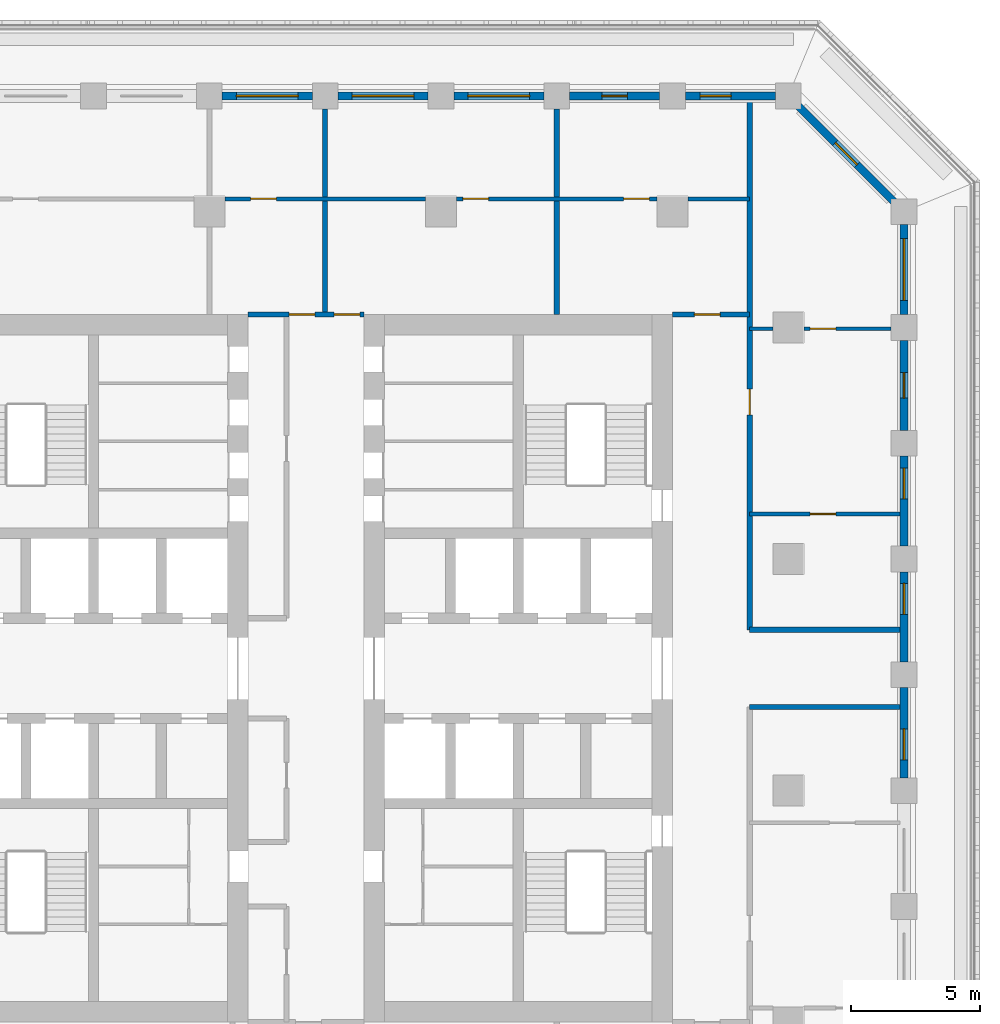
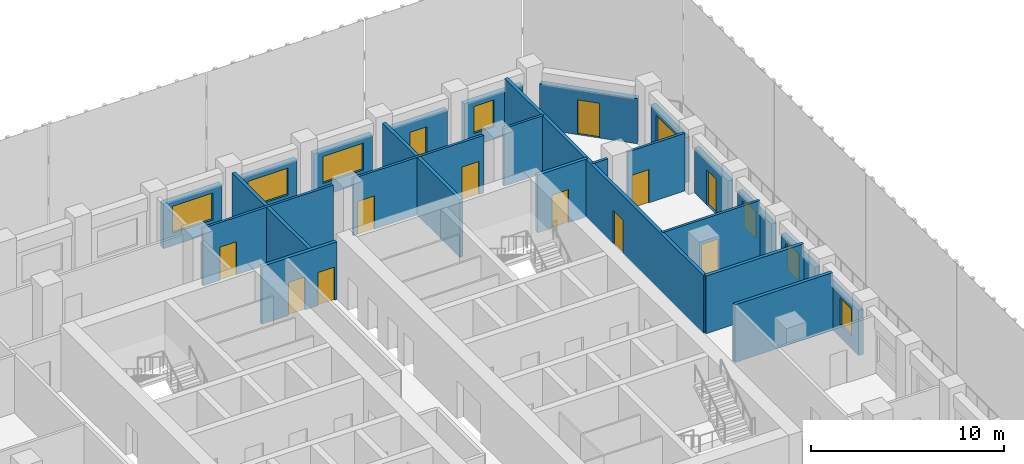
# One storey, part 8 of 17: 24 walls, 12 doors, 8 windows, 20 openings.
"""IFC4 building model written with IfcOpenShell, lengths in metres."""

from ifc_helpers import new_model, si_unit, direction, frame, frame_2d, origin, place, context, subcontext, project, spatial, rectangle, extrude, material, layer, layer_set, type_object, element, fill, save


model = new_model("IFC4")

# Units and contexts
model_context = context("Model", 3, precision=1e-05, world=origin(), true_north=direction((0.0, 1.0)))
body_context = subcontext(model_context, "Body", "Model", "MODEL_VIEW")
ifc_project = project(units=[si_unit("LENGTHUNIT", "METRE"), si_unit("AREAUNIT", "SQUARE_METRE"), si_unit("VOLUMEUNIT", "CUBIC_METRE"), si_unit("PLANEANGLEUNIT", "RADIAN"), si_unit("MASSUNIT", "GRAM", prefix="KILO")], contexts=[model_context])

# Site, building, storey
site_placement = place(None, origin())
site = spatial("IfcSite", under=ifc_project, at=site_placement, CompositionType="ELEMENT")
building_placement = place(site_placement, origin())
building = spatial("IfcBuilding", under=site, at=building_placement, Name="Corbel Stack Research Tower", CompositionType="ELEMENT")
storey_placement = place(building_placement, frame((0.0, 0.0, 156.800048828125)))
storey = spatial("IfcBuildingStorey", under=building, at=storey_placement, Name="L35", CompositionType="ELEMENT", Elevation=156.800048828125)

# Walls
ifc_material_1 = material(Name="Fire-rated gypsum board partition on steel studs", Category="steel")
ifc_layer_1 = layer(ifc_material_1, 0.199951171875)
ifc_layer_set_1 = layer_set([ifc_layer_1], Name="Fire-rated gypsum board partition on steel studs")
wall_type_1 = type_object("IfcWallType", Name="Fire-rated partition 200 EI 60", PredefinedType="PARTITIONING", material=ifc_layer_set_1)
for number, where, z_axis, x_axis, name in (
    (1, (4.5, 18.5, 0.0), (0.0, 0.0, 1.0), (0.0, 1.0, 0.0), "Partition L35-012"),
    (2, (13.5, 18.5, 0.0), (0.0, 0.0, 1.0), (0.0, 1.0, 0.0), "Partition L35-015"),
):
    element("IfcWall", number, at=place(storey_placement, frame(where, z_axis=z_axis, x_axis=x_axis)), inside=storey, type_object=wall_type_1, Name=name, PredefinedType="PARTITIONING", context=body_context, shape_type="SweptSolid", body=[
        extrude(rectangle(XDim=8.0, YDim=0.199951171875, at=frame_2d((4.0, 0.0))), origin(), (0.0, 0.0, 1.0), 3.64990234375),
    ])

# Wall, opening, door
wall_1_placement = place(storey_placement, frame((21.0, 26.85009765625, 0.0), z_axis=(0.0, 0.0, 1.0), x_axis=(0.0, -1.0, 0.0)))
wall_1 = element("IfcWall", 3, at=wall_1_placement, inside=storey, type_object=wall_type_1, Name="Partition L35-017", PredefinedType="PARTITIONING", context=body_context, shape_type="SweptSolid", body=[
    extrude(rectangle(XDim=20.60009765625, YDim=0.199951171875, at=frame_2d((10.300048828125, 0.0))), origin(), (0.0, 0.0, 1.0), 3.64990234375),
])
opening_1_placement = place(wall_1_placement, frame((11.25, 0.0, 0.0)))
opening_1 = element("IfcOpeningElement", 4, at=opening_1_placement, cuts=wall_1, Name="Opening B5V0H-031", PredefinedType="OPENING", context=body_context, shape_type="SweptSolid", body=[
    extrude(rectangle(XDim=1.0, YDim=2.10009765625, at=frame_2d((0.5, 1.050048828125))), frame((0.0, 0.10986328125, 0.0), z_axis=(0.0, -1.0, 0.0), x_axis=(1.0, 0.0, 0.0)), (0.0, 0.0, 1.0), 0.219970703125),
])
ifc_material_2 = material(Name="Painted steel fire door", Category="steel")
door_type_1 = type_object("IfcDoorType", Name="Fire door FD30S 1000 x 2100", OperationType="NOTDEFINED", PredefinedType="DOOR", material=ifc_material_2)
door_1_placement = place(opening_1_placement, origin())
door_1 = element("IfcDoor", 5, at=door_1_placement, inside=storey, type_object=door_type_1, Name="Door B5V0H-031", OperationType="SINGLE_SWING_RIGHT", OverallHeight=2.10009765625, OverallWidth=1.0, PredefinedType="DOOR", context=body_context, shape_type="SweptSolid", body=[
    extrude(rectangle(XDim=1.0, YDim=2.10009765625, at=frame_2d((0.5, 1.050048828125))), frame((0.0, 0.02490234375, 0.0), z_axis=(0.0, -1.0, 0.0), x_axis=(1.0, 0.0, 0.0)), (0.0, 0.0, 1.0), 0.050048828125),
])
fill(opening_1, door_1)

# Walls
for number, where, z_axis, x_axis, name in (
    (6, (21.0, 3.25, 0.0), (0.0, 0.0, 1.0), (1.0, 0.0, 0.0), "Partition L35-033"),
    (7, (21.0, 6.25, 0.0), (0.0, 0.0, 1.0), (1.0, 0.0, 0.0), "Partition L35-035"),
):
    element("IfcWall", number, at=place(storey_placement, frame(where, z_axis=z_axis, x_axis=x_axis)), inside=storey, type_object=wall_type_1, Name=name, PredefinedType="PARTITIONING", context=body_context, shape_type="SweptSolid", body=[
        extrude(rectangle(XDim=5.85009765625, YDim=0.199951171875, at=frame_2d((2.925048828125, 0.0))), origin(), (0.0, 0.0, 1.0), 3.64990234375),
    ])

# Wall, openings, doors
wall_2_placement = place(storey_placement, frame((1.5, 18.5, 0.0), z_axis=(0.0, 0.0, 1.0), x_axis=(1.0, 0.0, 0.0)))
wall_2 = element("IfcWall", 8, at=wall_2_placement, inside=storey, type_object=wall_type_1, Name="Partition L35-044", PredefinedType="PARTITIONING", context=body_context, shape_type="SweptSolid", body=[
    extrude(rectangle(XDim=4.5, YDim=0.199951171875, at=frame_2d((2.25, 0.0))), origin(), (0.0, 0.0, 1.0), 3.64990234375),
])
opening_2_placement = place(wall_2_placement, frame((1.60009765625, 0.0, 0.0)))
opening_2 = element("IfcOpeningElement", 9, at=opening_2_placement, cuts=wall_2, Name="Opening B5V0H-027", PredefinedType="OPENING", context=body_context, shape_type="SweptSolid", body=[
    extrude(rectangle(XDim=1.0, YDim=2.10009765625, at=frame_2d((0.5, 1.050048828125))), frame((0.0, 0.10986328125, 0.0), z_axis=(0.0, -1.0, 0.0), x_axis=(1.0, 0.0, 0.0)), (0.0, 0.0, 1.0), 0.219970703125),
])
opening_3_placement = place(wall_2_placement, frame((3.35009765625, 0.0, 0.0)))
opening_3 = element("IfcOpeningElement", 10, at=opening_3_placement, cuts=wall_2, Name="Opening B5V0H-028", PredefinedType="OPENING", context=body_context, shape_type="SweptSolid", body=[
    extrude(rectangle(XDim=1.0, YDim=2.10009765625, at=frame_2d((0.5, 1.050048828125))), frame((0.0, 0.10986328125, 0.0), z_axis=(0.0, -1.0, 0.0), x_axis=(1.0, 0.0, 0.0)), (0.0, 0.0, 1.0), 0.219970703125),
])
door_2_placement = place(opening_2_placement, origin())
door_2 = element("IfcDoor", 11, at=door_2_placement, inside=storey, type_object=door_type_1, Name="Door B5V0H-027", OperationType="SINGLE_SWING_LEFT", OverallHeight=2.10009765625, OverallWidth=1.0, PredefinedType="DOOR", context=body_context, shape_type="SweptSolid", body=[
    extrude(rectangle(XDim=1.0, YDim=2.10009765625, at=frame_2d((0.5, 1.050048828125))), frame((0.0, 0.02490234375, 0.0), z_axis=(0.0, -1.0, 0.0), x_axis=(1.0, 0.0, 0.0)), (0.0, 0.0, 1.0), 0.050048828125),
])
fill(opening_2, door_2)
door_3_placement = place(opening_3_placement, origin())
door_3 = element("IfcDoor", 12, at=door_3_placement, inside=storey, type_object=door_type_1, Name="Door B5V0H-028", OperationType="SINGLE_SWING_RIGHT", OverallHeight=2.10009765625, OverallWidth=1.0, PredefinedType="DOOR", context=body_context, shape_type="SweptSolid", body=[
    extrude(rectangle(XDim=1.0, YDim=2.10009765625, at=frame_2d((0.5, 1.050048828125))), frame((0.0, 0.02490234375, 0.0), z_axis=(0.0, -1.0, 0.0), x_axis=(1.0, 0.0, 0.0)), (0.0, 0.0, 1.0), 0.050048828125),
])
fill(opening_3, door_3)

# Wall, opening, door
wall_3_placement = place(storey_placement, frame((18.0, 18.5, 0.0), z_axis=(0.0, 0.0, 1.0), x_axis=(1.0, 0.0, 0.0)))
wall_3 = element("IfcWall", 13, at=wall_3_placement, inside=storey, type_object=wall_type_1, Name="Partition L35-045", PredefinedType="PARTITIONING", context=body_context, shape_type="SweptSolid", body=[
    extrude(rectangle(XDim=3.0, YDim=0.199951171875, at=frame_2d((1.5, 0.0))), origin(), (0.0, 0.0, 1.0), 3.64990234375),
])
opening_4_placement = place(wall_3_placement, frame((0.85009765625, 0.0, 0.0)))
opening_4 = element("IfcOpeningElement", 14, at=opening_4_placement, cuts=wall_3, Name="Opening B5V0H-029", PredefinedType="OPENING", context=body_context, shape_type="SweptSolid", body=[
    extrude(rectangle(XDim=1.0, YDim=2.10009765625, at=frame_2d((0.5, 1.050048828125))), frame((0.0, 0.10986328125, 0.0), z_axis=(0.0, -1.0, 0.0), x_axis=(1.0, 0.0, 0.0)), (0.0, 0.0, 1.0), 0.219970703125),
])
door_4_placement = place(opening_4_placement, origin())
door_4 = element("IfcDoor", 15, at=door_4_placement, inside=storey, type_object=door_type_1, Name="Door B5V0H-029", OperationType="SINGLE_SWING_LEFT", OverallHeight=2.10009765625, OverallWidth=1.0, PredefinedType="DOOR", context=body_context, shape_type="SweptSolid", body=[
    extrude(rectangle(XDim=1.0, YDim=2.10009765625, at=frame_2d((0.5, 1.050048828125))), frame((0.0, 0.02490234375, 0.0), z_axis=(0.0, -1.0, 0.0), x_axis=(1.0, 0.0, 0.0)), (0.0, 0.0, 1.0), 0.050048828125),
])
fill(opening_4, door_4)

ifc_material_3 = material(Name="Gypsum board partition on steel studs", Category="steel")
ifc_layer_2 = layer(ifc_material_3, 0.14990234375)
ifc_layer_set_2 = layer_set([ifc_layer_2], Name="Gypsum board partition on steel studs")
wall_type_2 = type_object("IfcWallType", Name="Partition 150", PredefinedType="PARTITIONING", material=ifc_layer_set_2)
wall_4_placement = place(storey_placement, frame((26.85009765625, 10.75, 0.0), z_axis=(0.0, 0.0, 1.0), x_axis=(-1.0, 0.0, 0.0)))
wall_4 = element("IfcWall", 16, at=wall_4_placement, inside=storey, type_object=wall_type_2, Name="Partition L35-038", PredefinedType="PARTITIONING", context=body_context, shape_type="SweptSolid", body=[
    extrude(rectangle(XDim=5.85009765625, YDim=0.14990234375, at=frame_2d((2.925048828125, 0.0))), origin(), (0.0, 0.0, 1.0), 3.64990234375),
])
opening_5_placement = place(wall_4_placement, frame((2.5, 0.0, 0.0)))
opening_5 = element("IfcOpeningElement", 17, at=opening_5_placement, cuts=wall_4, Name="Opening B5V0H-023", PredefinedType="OPENING", context=body_context, shape_type="SweptSolid", body=[
    extrude(rectangle(XDim=1.0, YDim=2.10009765625, at=frame_2d((0.5, 1.050048828125))), frame((0.0, 0.0849609375, 0.0), z_axis=(0.0, -1.0, 0.0), x_axis=(1.0, 0.0, 0.0)), (0.0, 0.0, 1.0), 0.169921875),
])
ifc_material_4 = material(Name="Painted timber door", Category="wood")
door_type_2 = type_object("IfcDoorType", Name="Single door 1000 x 2100", OperationType="NOTDEFINED", PredefinedType="DOOR", material=ifc_material_4)
door_5_placement = place(opening_5_placement, origin())
door_5 = element("IfcDoor", 18, at=door_5_placement, inside=storey, type_object=door_type_2, Name="Door B5V0H-023", OperationType="SINGLE_SWING_RIGHT", OverallHeight=2.10009765625, OverallWidth=1.0, PredefinedType="DOOR", context=body_context, shape_type="SweptSolid", body=[
    extrude(rectangle(XDim=1.0, YDim=2.10009765625, at=frame_2d((0.5, 1.050048828125))), frame((0.0, 0.02490234375, 0.0), z_axis=(0.0, -1.0, 0.0), x_axis=(1.0, 0.0, 0.0)), (0.0, 0.0, 1.0), 0.050048828125),
])
fill(opening_5, door_5)

# Wall
wall_5_placement = place(storey_placement, frame((21.0, 17.949951171875, 0.0), z_axis=(0.0, 0.0, 1.0), x_axis=(1.0, 0.0, 0.0)))
element("IfcWall", 19, at=wall_5_placement, inside=storey, type_object=wall_type_2, Name="Partition L35-041", PredefinedType="PARTITIONING", context=body_context, shape_type="SweptSolid", body=[
    extrude(rectangle(XDim=0.89990234375, YDim=0.14990234375, at=frame_2d((0.449951171875, 0.0))), origin(), (0.0, 0.0, 1.0), 3.64990234375),
])

# Wall, opening, door
wall_6_placement = place(storey_placement, frame((23.10009765625, 17.949951171875, 0.0), z_axis=(0.0, 0.0, 1.0), x_axis=(1.0, 0.0, 0.0)))
wall_6 = element("IfcWall", 20, at=wall_6_placement, inside=storey, type_object=wall_type_2, Name="Partition L35-042", PredefinedType="PARTITIONING", context=body_context, shape_type="SweptSolid", body=[
    extrude(rectangle(XDim=3.39990234375, YDim=0.14990234375, at=frame_2d((1.699951171875, 0.0))), origin(), (0.0, 0.0, 1.0), 3.64990234375),
])
opening_6_placement = place(wall_6_placement, frame((0.25, 0.0, 0.0)))
opening_6 = element("IfcOpeningElement", 21, at=opening_6_placement, cuts=wall_6, Name="Opening B5V0H-025", PredefinedType="OPENING", context=body_context, shape_type="SweptSolid", body=[
    extrude(rectangle(XDim=1.0, YDim=2.10009765625, at=frame_2d((0.5, 1.050048828125))), frame((0.0, 0.0849609375, 0.0), z_axis=(0.0, -1.0, 0.0), x_axis=(1.0, 0.0, 0.0)), (0.0, 0.0, 1.0), 0.169921875),
])
door_6_placement = place(opening_6_placement, origin())
door_6 = element("IfcDoor", 22, at=door_6_placement, inside=storey, type_object=door_type_2, Name="Door B5V0H-025", OperationType="SINGLE_SWING_LEFT", OverallHeight=2.10009765625, OverallWidth=1.0, PredefinedType="DOOR", context=body_context, shape_type="SweptSolid", body=[
    extrude(rectangle(XDim=1.0, YDim=2.10009765625, at=frame_2d((0.5, 1.050048828125))), frame((0.0, 0.02490234375, 0.0), z_axis=(0.0, -1.0, 0.0), x_axis=(1.0, 0.0, 0.0)), (0.0, 0.0, 1.0), 0.050048828125),
])
fill(opening_6, door_6)

wall_7_placement = place(storey_placement, frame((0.60009765625, 23.0, 0.0), z_axis=(0.0, 0.0, 1.0), x_axis=(1.0, 0.0, 0.0)))
wall_7 = element("IfcWall", 23, at=wall_7_placement, inside=storey, type_object=wall_type_2, Name="Partition L35-048", PredefinedType="PARTITIONING", context=body_context, shape_type="SweptSolid", body=[
    extrude(rectangle(XDim=7.7998046875, YDim=0.14990234375, at=frame_2d((3.89990234375, 0.0))), origin(), (0.0, 0.0, 1.0), 3.64990234375),
])
opening_7_placement = place(wall_7_placement, frame((1.0, 0.0, 0.0)))
opening_7 = element("IfcOpeningElement", 24, at=opening_7_placement, cuts=wall_7, Name="Opening B5V0H-033", PredefinedType="OPENING", context=body_context, shape_type="SweptSolid", body=[
    extrude(rectangle(XDim=1.0, YDim=2.10009765625, at=frame_2d((0.5, 1.050048828125))), frame((0.0, 0.0849609375, 0.0), z_axis=(0.0, -1.0, 0.0), x_axis=(1.0, 0.0, 0.0)), (0.0, 0.0, 1.0), 0.169921875),
])
door_7_placement = place(opening_7_placement, origin())
door_7 = element("IfcDoor", 25, at=door_7_placement, inside=storey, type_object=door_type_2, Name="Door B5V0H-033", OperationType="SINGLE_SWING_LEFT", OverallHeight=2.10009765625, OverallWidth=1.0, PredefinedType="DOOR", context=body_context, shape_type="SweptSolid", body=[
    extrude(rectangle(XDim=1.0, YDim=2.10009765625, at=frame_2d((0.5, 1.050048828125))), frame((0.0, 0.02490234375, 0.0), z_axis=(0.0, -1.0, 0.0), x_axis=(1.0, 0.0, 0.0)), (0.0, 0.0, 1.0), 0.050048828125),
])
fill(opening_7, door_7)

# Wall, openings, doors
wall_8_placement = place(storey_placement, frame((9.60009765625, 23.0, 0.0), z_axis=(0.0, 0.0, 1.0), x_axis=(1.0, 0.0, 0.0)))
wall_8 = element("IfcWall", 26, at=wall_8_placement, inside=storey, type_object=wall_type_2, Name="Partition L35-049", PredefinedType="PARTITIONING", context=body_context, shape_type="SweptSolid", body=[
    extrude(rectangle(XDim=7.7998046875, YDim=0.14990234375, at=frame_2d((3.89990234375, 0.0))), origin(), (0.0, 0.0, 1.0), 3.64990234375),
])
opening_8_placement = place(wall_8_placement, frame((0.25, 0.0, 0.0)))
opening_8 = element("IfcOpeningElement", 27, at=opening_8_placement, cuts=wall_8, Name="Opening B5V0H-034", PredefinedType="OPENING", context=body_context, shape_type="SweptSolid", body=[
    extrude(rectangle(XDim=1.0, YDim=2.10009765625, at=frame_2d((0.5, 1.050048828125))), frame((0.0, 0.0849609375, 0.0), z_axis=(0.0, -1.0, 0.0), x_axis=(1.0, 0.0, 0.0)), (0.0, 0.0, 1.0), 0.169921875),
])
opening_9_placement = place(wall_8_placement, frame((6.5, 0.0, 0.0)))
opening_9 = element("IfcOpeningElement", 28, at=opening_9_placement, cuts=wall_8, Name="Opening B5V0H-035", PredefinedType="OPENING", context=body_context, shape_type="SweptSolid", body=[
    extrude(rectangle(XDim=1.0, YDim=2.10009765625, at=frame_2d((0.5, 1.050048828125))), frame((0.0, 0.0849609375, 0.0), z_axis=(0.0, -1.0, 0.0), x_axis=(1.0, 0.0, 0.0)), (0.0, 0.0, 1.0), 0.169921875),
])
door_8_placement = place(opening_8_placement, origin())
door_8 = element("IfcDoor", 29, at=door_8_placement, inside=storey, type_object=door_type_2, Name="Door B5V0H-034", OperationType="SINGLE_SWING_LEFT", OverallHeight=2.10009765625, OverallWidth=1.0, PredefinedType="DOOR", context=body_context, shape_type="SweptSolid", body=[
    extrude(rectangle(XDim=1.0, YDim=2.10009765625, at=frame_2d((0.5, 1.050048828125))), frame((0.0, 0.02490234375, 0.0), z_axis=(0.0, -1.0, 0.0), x_axis=(1.0, 0.0, 0.0)), (0.0, 0.0, 1.0), 0.050048828125),
])
fill(opening_8, door_8)
door_9_placement = place(opening_9_placement, origin())
door_9 = element("IfcDoor", 30, at=door_9_placement, inside=storey, type_object=door_type_2, Name="Door B5V0H-035", OperationType="SINGLE_SWING_RIGHT", OverallHeight=2.10009765625, OverallWidth=1.0, PredefinedType="DOOR", context=body_context, shape_type="SweptSolid", body=[
    extrude(rectangle(XDim=1.0, YDim=2.10009765625, at=frame_2d((0.5, 1.050048828125))), frame((0.0, 0.02490234375, 0.0), z_axis=(0.0, -1.0, 0.0), x_axis=(1.0, 0.0, 0.0)), (0.0, 0.0, 1.0), 0.050048828125),
])
fill(opening_9, door_9)

# Wall
wall_9_placement = place(storey_placement, frame((18.60009765625, 23.0, 0.0), z_axis=(0.0, 0.0, 1.0), x_axis=(1.0, 0.0, 0.0)))
element("IfcWall", 31, at=wall_9_placement, inside=storey, type_object=wall_type_2, Name="Partition L35-050", PredefinedType="PARTITIONING", context=body_context, shape_type="SweptSolid", body=[
    extrude(rectangle(XDim=2.39990234375, YDim=0.14990234375, at=frame_2d((1.199951171875, 0.0))), origin(), (0.0, 0.0, 1.0), 3.64990234375),
])

# Wall, opening, window
ifc_material_5 = material(Name="Concrete C45/55", Category="concrete")
ifc_layer_3 = layer(ifc_material_5, 0.300048828125)
ifc_layer_set_3 = layer_set([ifc_layer_3], Name="Concrete C45/55")
wall_type_3 = type_object("IfcWallType", Name="Terracotta-faced concrete wall 300", PredefinedType="SOLIDWALL", material=ifc_layer_set_3)
wall_10_placement = place(storey_placement, frame((27.0, 4.0, 0.0), z_axis=(0.0, 0.0, 1.0), x_axis=(0.0, -1.0, 0.0)))
wall_10 = element("IfcWall", 32, at=wall_10_placement, inside=storey, type_object=wall_type_3, Name="Facade wall L35 E06", PredefinedType="SOLIDWALL", context=body_context, shape_type="SweptSolid", body=[
    extrude(rectangle(XDim=3.5, YDim=0.300048828125, at=frame_2d((1.75, 0.0))), origin(), (0.0, 0.0, 1.0), 2.849853515625),
])
opening_10_placement = place(wall_10_placement, frame((1.60009765625, 0.0, 0.800048828125)))
opening_10 = element("IfcOpeningElement", 33, at=opening_10_placement, cuts=wall_10, Name="Opening W2", PredefinedType="OPENING", context=body_context, shape_type="SweptSolid", body=[
    extrude(rectangle(XDim=1.199951171875, YDim=1.699951171875, at=frame_2d((0.60009765625, 0.85009765625))), frame((0.0, 0.159912109375, 0.0), z_axis=(0.0, -1.0, 0.0), x_axis=(1.0, 0.0, 0.0)), (0.0, 0.0, 1.0), 0.320068359375),
])
ifc_material_6 = material(Name="Aluminium frame, clear double glazing", Category="aluminium")
window_type_1 = type_object("IfcWindowType", Name="Window W2 1200 x 1700", PartitioningType="SINGLE_PANEL", PredefinedType="WINDOW", material=ifc_material_6)
window_1_placement = place(opening_10_placement, origin())
window_1 = element("IfcWindow", 34, at=window_1_placement, inside=storey, type_object=window_type_1, Name="Window W2 L35 E06", OverallHeight=1.699951171875, OverallWidth=1.199951171875, PartitioningType="SINGLE_PANEL", PredefinedType="WINDOW", context=body_context, shape_type="SweptSolid", body=[
    extrude(rectangle(XDim=1.199951171875, YDim=1.699951171875, at=frame_2d((0.60009765625, 0.85009765625))), frame((0.0, 0.030029296875, 0.0), z_axis=(0.0, -1.0, 0.0), x_axis=(1.0, 0.0, 0.0)), (0.0, 0.0, 1.0), 0.06005859375),
])
fill(opening_10, window_1)

wall_11_placement = place(storey_placement, frame((27.0, 8.5, 0.0), z_axis=(0.0, 0.0, 1.0), x_axis=(0.0, -1.0, 0.0)))
wall_11 = element("IfcWall", 35, at=wall_11_placement, inside=storey, type_object=wall_type_3, Name="Facade wall L35 E07", PredefinedType="SOLIDWALL", context=body_context, shape_type="SweptSolid", body=[
    extrude(rectangle(XDim=3.5, YDim=0.300048828125, at=frame_2d((1.75, 0.0))), origin(), (0.0, 0.0, 1.0), 2.849853515625),
])
opening_11_placement = place(wall_11_placement, frame((0.449951171875, 0.0, 0.800048828125)))
opening_11 = element("IfcOpeningElement", 36, at=opening_11_placement, cuts=wall_11, Name="Opening W2", PredefinedType="OPENING", context=body_context, shape_type="SweptSolid", body=[
    extrude(rectangle(XDim=1.199951171875, YDim=1.699951171875, at=frame_2d((0.60009765625, 0.85009765625))), frame((0.0, 0.159912109375, 0.0), z_axis=(0.0, -1.0, 0.0), x_axis=(1.0, 0.0, 0.0)), (0.0, 0.0, 1.0), 0.320068359375),
])
window_2_placement = place(opening_11_placement, origin())
window_2 = element("IfcWindow", 37, at=window_2_placement, inside=storey, type_object=window_type_1, Name="Window W2 L35 E07", OverallHeight=1.699951171875, OverallWidth=1.199951171875, PartitioningType="SINGLE_PANEL", PredefinedType="WINDOW", context=body_context, shape_type="SweptSolid", body=[
    extrude(rectangle(XDim=1.199951171875, YDim=1.699951171875, at=frame_2d((0.60009765625, 0.85009765625))), frame((0.0, 0.030029296875, 0.0), z_axis=(0.0, -1.0, 0.0), x_axis=(1.0, 0.0, 0.0)), (0.0, 0.0, 1.0), 0.06005859375),
])
fill(opening_11, window_2)

wall_12_placement = place(storey_placement, frame((27.0, 13.0, 0.0), z_axis=(0.0, 0.0, 1.0), x_axis=(0.0, -1.0, 0.0)))
wall_12 = element("IfcWall", 38, at=wall_12_placement, inside=storey, type_object=wall_type_3, Name="Facade wall L35 E08", PredefinedType="SOLIDWALL", context=body_context, shape_type="SweptSolid", body=[
    extrude(rectangle(XDim=3.5, YDim=0.300048828125, at=frame_2d((1.75, 0.0))), origin(), (0.0, 0.0, 1.0), 2.849853515625),
])
opening_12_placement = place(wall_12_placement, frame((0.46240234375, 0.0, 0.800048828125)))
opening_12 = element("IfcOpeningElement", 39, at=opening_12_placement, cuts=wall_12, Name="Opening W2", PredefinedType="OPENING", context=body_context, shape_type="SweptSolid", body=[
    extrude(rectangle(XDim=1.199951171875, YDim=1.699951171875, at=frame_2d((0.60009765625, 0.85009765625))), frame((0.0, 0.159912109375, 0.0), z_axis=(0.0, -1.0, 0.0), x_axis=(1.0, 0.0, 0.0)), (0.0, 0.0, 1.0), 0.320068359375),
])
window_3_placement = place(opening_12_placement, origin())
window_3 = element("IfcWindow", 40, at=window_3_placement, inside=storey, type_object=window_type_1, Name="Window W2 L35 E08", OverallHeight=1.699951171875, OverallWidth=1.199951171875, PartitioningType="SINGLE_PANEL", PredefinedType="WINDOW", context=body_context, shape_type="SweptSolid", body=[
    extrude(rectangle(XDim=1.199951171875, YDim=1.699951171875, at=frame_2d((0.60009765625, 0.85009765625))), frame((0.0, 0.030029296875, 0.0), z_axis=(0.0, -1.0, 0.0), x_axis=(1.0, 0.0, 0.0)), (0.0, 0.0, 1.0), 0.06005859375),
])
fill(opening_12, window_3)

# Wall, opening, door
wall_13_placement = place(storey_placement, frame((27.0, 17.5, 0.0), z_axis=(0.0, 0.0, 1.0), x_axis=(0.0, -1.0, 0.0)))
wall_13 = element("IfcWall", 41, at=wall_13_placement, inside=storey, type_object=wall_type_3, Name="Facade wall L35 E09", PredefinedType="SOLIDWALL", context=body_context, shape_type="SweptSolid", body=[
    extrude(rectangle(XDim=3.5, YDim=0.300048828125, at=frame_2d((1.75, 0.0))), origin(), (0.0, 0.0, 1.0), 2.849853515625),
])
opening_13_placement = place(wall_13_placement, frame((1.25, 0.0, 0.0)))
opening_13 = element("IfcOpeningElement", 42, at=opening_13_placement, cuts=wall_13, Name="Opening L35-B05", PredefinedType="OPENING", context=body_context, shape_type="SweptSolid", body=[
    extrude(rectangle(XDim=1.0, YDim=2.199951171875, at=frame_2d((0.5, 1.10009765625))), frame((0.0, 0.159912109375, 0.0), z_axis=(0.0, -1.0, 0.0), x_axis=(1.0, 0.0, 0.0)), (0.0, 0.0, 1.0), 0.320068359375),
])
ifc_material_7 = material(Name="Aluminium frame, clear double glazing", Category="aluminium")
door_type_3 = type_object("IfcDoorType", Name="Balcony door BD1 1000 x 2200", OperationType="NOTDEFINED", PredefinedType="DOOR", material=ifc_material_7)
door_10_placement = place(opening_13_placement, origin())
door_10 = element("IfcDoor", 43, at=door_10_placement, inside=storey, type_object=door_type_3, Name="Balcony door L35-B05", OperationType="SINGLE_SWING_RIGHT", OverallHeight=2.199951171875, OverallWidth=1.0, PredefinedType="DOOR", context=body_context, shape_type="SweptSolid", body=[
    extrude(rectangle(XDim=1.0, YDim=2.199951171875, at=frame_2d((0.5, 1.10009765625))), frame((0.0, 0.02490234375, 0.0), z_axis=(0.0, -1.0, 0.0), x_axis=(1.0, 0.0, 0.0)), (0.0, 0.0, 1.0), 0.050048828125),
])
fill(opening_13, door_10)

# Wall, opening, window
wall_14_placement = place(storey_placement, frame((27.0, 22.0, 0.0), z_axis=(0.0, 0.0, 1.0), x_axis=(0.0, -1.0, 0.0)))
wall_14 = element("IfcWall", 44, at=wall_14_placement, inside=storey, type_object=wall_type_3, Name="Facade wall L35 E10", PredefinedType="SOLIDWALL", context=body_context, shape_type="SweptSolid", body=[
    extrude(rectangle(XDim=3.5, YDim=0.300048828125, at=frame_2d((1.75, 0.0))), origin(), (0.0, 0.0, 1.0), 2.849853515625),
])
opening_14_placement = place(wall_14_placement, frame((0.550048828125, 0.0, 0.800048828125)))
opening_14 = element("IfcOpeningElement", 45, at=opening_14_placement, cuts=wall_14, Name="Opening W1", PredefinedType="OPENING", context=body_context, shape_type="SweptSolid", body=[
    extrude(rectangle(XDim=2.39990234375, YDim=1.699951171875, at=frame_2d((1.199951171875, 0.85009765625))), frame((0.0, 0.159912109375, 0.0), z_axis=(0.0, -1.0, 0.0), x_axis=(1.0, 0.0, 0.0)), (0.0, 0.0, 1.0), 0.320068359375),
])
ifc_material_8 = material(Name="Aluminium frame, clear double glazing", Category="aluminium")
window_type_2 = type_object("IfcWindowType", Name="Window W1 2400 x 1700", PartitioningType="SINGLE_PANEL", PredefinedType="WINDOW", material=ifc_material_8)
window_4_placement = place(opening_14_placement, origin())
window_4 = element("IfcWindow", 46, at=window_4_placement, inside=storey, type_object=window_type_2, Name="Window W1 L35 E10", OverallHeight=1.699951171875, OverallWidth=2.39990234375, PartitioningType="SINGLE_PANEL", PredefinedType="WINDOW", context=body_context, shape_type="SweptSolid", body=[
    extrude(rectangle(XDim=2.39990234375, YDim=1.699951171875, at=frame_2d((1.199951171875, 0.85009765625))), frame((0.0, 0.030029296875, 0.0), z_axis=(0.0, -1.0, 0.0), x_axis=(1.0, 0.0, 0.0)), (0.0, 0.0, 1.0), 0.06005859375),
])
fill(opening_14, window_4)

# Wall, opening, door
wall_15_placement = place(storey_placement, frame((22.893798828125, 26.606201171875, 0.0), z_axis=(0.0, 0.0, 1.0), x_axis=(0.707106781187, -0.707106781187, 0.0)))
wall_15 = element("IfcWall", 47, at=wall_15_placement, inside=storey, type_object=wall_type_3, Name="Facade wall L35 NE01", PredefinedType="SOLIDWALL", context=body_context, shape_type="SweptSolid", body=[
    extrude(rectangle(XDim=5.250244140625, YDim=0.300048828125, at=frame_2d((2.625, 0.0))), origin(), (0.0, 0.0, 1.0), 2.849853515625),
])
opening_15_placement = place(wall_15_placement, frame((2.02490234375, 0.0, 0.0)))
opening_15 = element("IfcOpeningElement", 48, at=opening_15_placement, cuts=wall_15, Name="Opening L35-B06", PredefinedType="OPENING", context=body_context, shape_type="SweptSolid", body=[
    extrude(rectangle(XDim=1.199951171875, YDim=2.199951171875, at=frame_2d((0.60009765625, 1.10009765625))), frame((0.0, 0.159912109375, 0.0), z_axis=(0.0, -1.0, 0.0), x_axis=(1.0, 0.0, 0.0)), (0.0, 0.0, 1.0), 0.320068359375),
])
ifc_material_9 = material(Name="Aluminium frame, clear double glazing", Category="aluminium")
door_type_4 = type_object("IfcDoorType", Name="Balcony door BD2 1200 x 2200", OperationType="NOTDEFINED", PredefinedType="DOOR", material=ifc_material_9)
door_11_placement = place(opening_15_placement, origin())
door_11 = element("IfcDoor", 49, at=door_11_placement, inside=storey, type_object=door_type_4, Name="Balcony door L35-B06", OperationType="SINGLE_SWING_RIGHT", OverallHeight=2.199951171875, OverallWidth=1.199951171875, PredefinedType="DOOR", context=body_context, shape_type="SweptSolid", body=[
    extrude(rectangle(XDim=1.199951171875, YDim=2.199951171875, at=frame_2d((0.60009765625, 1.10009765625))), frame((0.0, 0.02490234375, 0.0), z_axis=(0.0, -1.0, 0.0), x_axis=(1.0, 0.0, 0.0)), (0.0, 0.0, 1.0), 0.050048828125),
])
fill(opening_15, door_11)

# Wall, opening, window
wall_16_placement = place(storey_placement, frame((18.5, 27.0, 0.0), z_axis=(0.0, 0.0, 1.0), x_axis=(1.0, 0.0, 0.0)))
wall_16 = element("IfcWall", 50, at=wall_16_placement, inside=storey, type_object=wall_type_3, Name="Facade wall L35 N01", PredefinedType="SOLIDWALL", context=body_context, shape_type="SweptSolid", body=[
    extrude(rectangle(XDim=3.5, YDim=0.300048828125, at=frame_2d((1.75, 0.0))), origin(), (0.0, 0.0, 1.0), 2.849853515625),
])
opening_16_placement = place(wall_16_placement, frame((0.574951171875, 0.0, 0.800048828125)))
opening_16 = element("IfcOpeningElement", 51, at=opening_16_placement, cuts=wall_16, Name="Opening W2", PredefinedType="OPENING", context=body_context, shape_type="SweptSolid", body=[
    extrude(rectangle(XDim=1.199951171875, YDim=1.699951171875, at=frame_2d((0.60009765625, 0.85009765625))), frame((0.0, 0.159912109375, 0.0), z_axis=(0.0, -1.0, 0.0), x_axis=(1.0, 0.0, 0.0)), (0.0, 0.0, 1.0), 0.320068359375),
])
window_5_placement = place(opening_16_placement, origin())
window_5 = element("IfcWindow", 52, at=window_5_placement, inside=storey, type_object=window_type_1, Name="Window W2 L35 N01", OverallHeight=1.699951171875, OverallWidth=1.199951171875, PartitioningType="SINGLE_PANEL", PredefinedType="WINDOW", context=body_context, shape_type="SweptSolid", body=[
    extrude(rectangle(XDim=1.199951171875, YDim=1.699951171875, at=frame_2d((0.60009765625, 0.85009765625))), frame((0.0, 0.030029296875, 0.0), z_axis=(0.0, -1.0, 0.0), x_axis=(1.0, 0.0, 0.0)), (0.0, 0.0, 1.0), 0.06005859375),
])
fill(opening_16, window_5)

# Wall, opening, door
wall_17_placement = place(storey_placement, frame((14.0, 27.0, 0.0), z_axis=(0.0, 0.0, 1.0), x_axis=(1.0, 0.0, 0.0)))
wall_17 = element("IfcWall", 53, at=wall_17_placement, inside=storey, type_object=wall_type_3, Name="Facade wall L35 N02", PredefinedType="SOLIDWALL", context=body_context, shape_type="SweptSolid", body=[
    extrude(rectangle(XDim=3.5, YDim=0.300048828125, at=frame_2d((1.75, 0.0))), origin(), (0.0, 0.0, 1.0), 2.849853515625),
])
opening_17_placement = place(wall_17_placement, frame((1.25, 0.0, 0.0)))
opening_17 = element("IfcOpeningElement", 54, at=opening_17_placement, cuts=wall_17, Name="Opening L35-B07", PredefinedType="OPENING", context=body_context, shape_type="SweptSolid", body=[
    extrude(rectangle(XDim=1.0, YDim=2.199951171875, at=frame_2d((0.5, 1.10009765625))), frame((0.0, 0.159912109375, 0.0), z_axis=(0.0, -1.0, 0.0), x_axis=(1.0, 0.0, 0.0)), (0.0, 0.0, 1.0), 0.320068359375),
])
door_12_placement = place(opening_17_placement, origin())
door_12 = element("IfcDoor", 55, at=door_12_placement, inside=storey, type_object=door_type_3, Name="Balcony door L35-B07", OperationType="SINGLE_SWING_LEFT", OverallHeight=2.199951171875, OverallWidth=1.0, PredefinedType="DOOR", context=body_context, shape_type="SweptSolid", body=[
    extrude(rectangle(XDim=1.0, YDim=2.199951171875, at=frame_2d((0.5, 1.10009765625))), frame((0.0, 0.02490234375, 0.0), z_axis=(0.0, -1.0, 0.0), x_axis=(1.0, 0.0, 0.0)), (0.0, 0.0, 1.0), 0.050048828125),
])
fill(opening_17, door_12)

# Wall, opening, window
wall_18_placement = place(storey_placement, frame((9.5, 27.0, 0.0), z_axis=(0.0, 0.0, 1.0), x_axis=(1.0, 0.0, 0.0)))
wall_18 = element("IfcWall", 56, at=wall_18_placement, inside=storey, type_object=wall_type_3, Name="Facade wall L35 N03", PredefinedType="SOLIDWALL", context=body_context, shape_type="SweptSolid", body=[
    extrude(rectangle(XDim=3.5, YDim=0.300048828125, at=frame_2d((1.75, 0.0))), origin(), (0.0, 0.0, 1.0), 2.849853515625),
])
opening_18_placement = place(wall_18_placement, frame((0.550048828125, 0.0, 0.800048828125)))
opening_18 = element("IfcOpeningElement", 57, at=opening_18_placement, cuts=wall_18, Name="Opening W1", PredefinedType="OPENING", context=body_context, shape_type="SweptSolid", body=[
    extrude(rectangle(XDim=2.39990234375, YDim=1.699951171875, at=frame_2d((1.199951171875, 0.85009765625))), frame((0.0, 0.159912109375, 0.0), z_axis=(0.0, -1.0, 0.0), x_axis=(1.0, 0.0, 0.0)), (0.0, 0.0, 1.0), 0.320068359375),
])
window_6_placement = place(opening_18_placement, origin())
window_6 = element("IfcWindow", 58, at=window_6_placement, inside=storey, type_object=window_type_2, Name="Window W1 L35 N03", OverallHeight=1.699951171875, OverallWidth=2.39990234375, PartitioningType="SINGLE_PANEL", PredefinedType="WINDOW", context=body_context, shape_type="SweptSolid", body=[
    extrude(rectangle(XDim=2.39990234375, YDim=1.699951171875, at=frame_2d((1.199951171875, 0.85009765625))), frame((0.0, 0.030029296875, 0.0), z_axis=(0.0, -1.0, 0.0), x_axis=(1.0, 0.0, 0.0)), (0.0, 0.0, 1.0), 0.06005859375),
])
fill(opening_18, window_6)

wall_19_placement = place(storey_placement, frame((5.0, 27.0, 0.0), z_axis=(0.0, 0.0, 1.0), x_axis=(1.0, 0.0, 0.0)))
wall_19 = element("IfcWall", 59, at=wall_19_placement, inside=storey, type_object=wall_type_3, Name="Facade wall L35 N04", PredefinedType="SOLIDWALL", context=body_context, shape_type="SweptSolid", body=[
    extrude(rectangle(XDim=3.5, YDim=0.300048828125, at=frame_2d((1.75, 0.0))), origin(), (0.0, 0.0, 1.0), 2.849853515625),
])
opening_19_placement = place(wall_19_placement, frame((0.550048828125, 0.0, 0.800048828125)))
opening_19 = element("IfcOpeningElement", 60, at=opening_19_placement, cuts=wall_19, Name="Opening W1", PredefinedType="OPENING", context=body_context, shape_type="SweptSolid", body=[
    extrude(rectangle(XDim=2.39990234375, YDim=1.699951171875, at=frame_2d((1.199951171875, 0.85009765625))), frame((0.0, 0.159912109375, 0.0), z_axis=(0.0, -1.0, 0.0), x_axis=(1.0, 0.0, 0.0)), (0.0, 0.0, 1.0), 0.320068359375),
])
window_7_placement = place(opening_19_placement, origin())
window_7 = element("IfcWindow", 61, at=window_7_placement, inside=storey, type_object=window_type_2, Name="Window W1 L35 N04", OverallHeight=1.699951171875, OverallWidth=2.39990234375, PartitioningType="SINGLE_PANEL", PredefinedType="WINDOW", context=body_context, shape_type="SweptSolid", body=[
    extrude(rectangle(XDim=2.39990234375, YDim=1.699951171875, at=frame_2d((1.199951171875, 0.85009765625))), frame((0.0, 0.030029296875, 0.0), z_axis=(0.0, -1.0, 0.0), x_axis=(1.0, 0.0, 0.0)), (0.0, 0.0, 1.0), 0.06005859375),
])
fill(opening_19, window_7)

wall_20_placement = place(storey_placement, frame((0.5, 27.0, 0.0), z_axis=(0.0, 0.0, 1.0), x_axis=(1.0, 0.0, 0.0)))
wall_20 = element("IfcWall", 62, at=wall_20_placement, inside=storey, type_object=wall_type_3, Name="Facade wall L35 N05", PredefinedType="SOLIDWALL", context=body_context, shape_type="SweptSolid", body=[
    extrude(rectangle(XDim=3.5, YDim=0.300048828125, at=frame_2d((1.75, 0.0))), origin(), (0.0, 0.0, 1.0), 2.849853515625),
])
opening_20_placement = place(wall_20_placement, frame((0.550048828125, 0.0, 0.800048828125)))
opening_20 = element("IfcOpeningElement", 63, at=opening_20_placement, cuts=wall_20, Name="Opening W1", PredefinedType="OPENING", context=body_context, shape_type="SweptSolid", body=[
    extrude(rectangle(XDim=2.39990234375, YDim=1.699951171875, at=frame_2d((1.199951171875, 0.85009765625))), frame((0.0, 0.159912109375, 0.0), z_axis=(0.0, -1.0, 0.0), x_axis=(1.0, 0.0, 0.0)), (0.0, 0.0, 1.0), 0.320068359375),
])
window_8_placement = place(opening_20_placement, origin())
window_8 = element("IfcWindow", 64, at=window_8_placement, inside=storey, type_object=window_type_2, Name="Window W1 L35 N05", OverallHeight=1.699951171875, OverallWidth=2.39990234375, PartitioningType="SINGLE_PANEL", PredefinedType="WINDOW", context=body_context, shape_type="SweptSolid", body=[
    extrude(rectangle(XDim=2.39990234375, YDim=1.699951171875, at=frame_2d((1.199951171875, 0.85009765625))), frame((0.0, 0.030029296875, 0.0), z_axis=(0.0, -1.0, 0.0), x_axis=(1.0, 0.0, 0.0)), (0.0, 0.0, 1.0), 0.06005859375),
])
fill(opening_20, window_8)

save(model, "model.ifc")
